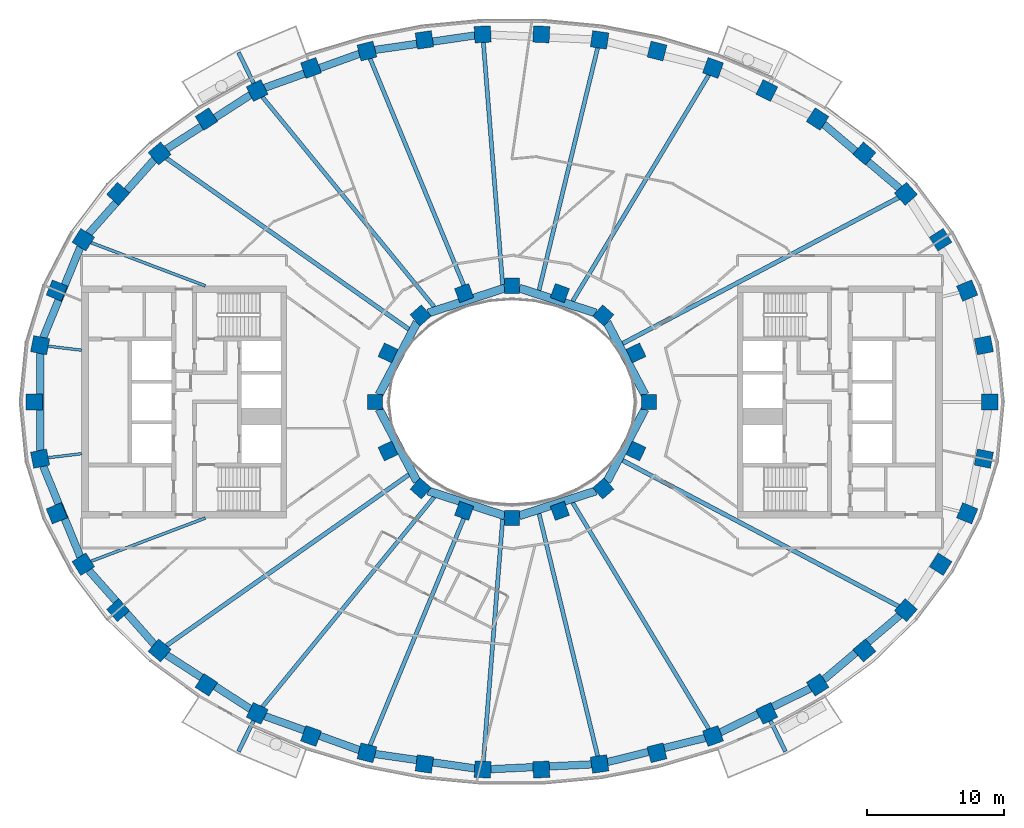
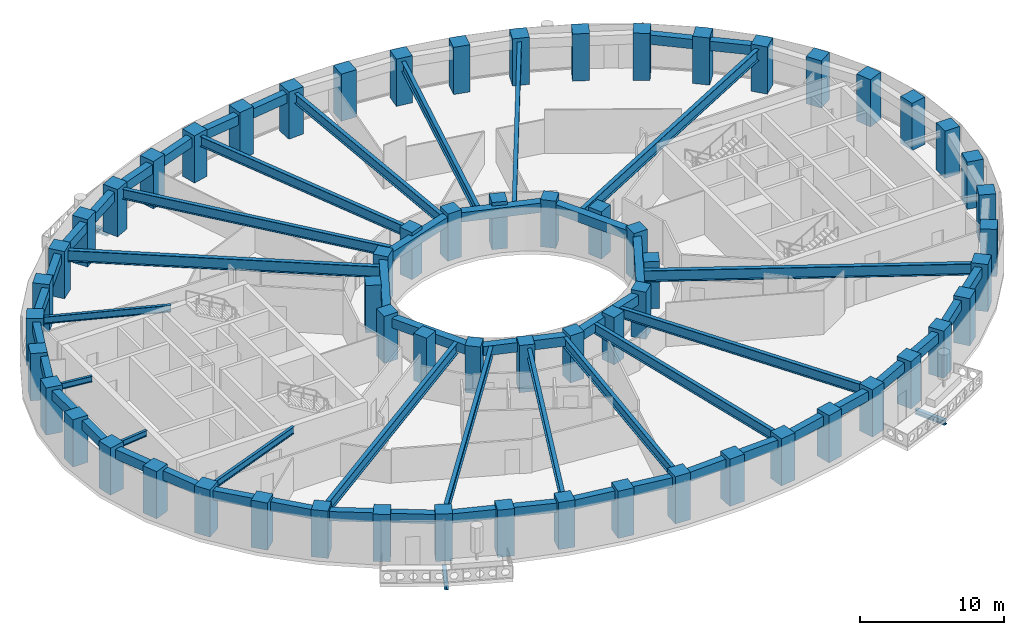
# One storey, part 1 of 15: 62 columns, 45 beams.
"""IFC4 building model written with IfcOpenShell, lengths in metres."""

import ifcopenshell
import ifcopenshell.guid

model = None  # the IFC model being written
_history = None  # IfcOwnerHistory: only IFC2X3 demands one
_inside = {}  # id of a spatial element -> (the spatial element, [elements in it])
_under = {}  # id of a project, library or spatial element -> (it, [spatial elements below it])
_declared = {}  # id of a project -> (the project, [libraries it declares])
_typed = {}  # id of a type object -> (the type object, [elements of that type])
_made_of = {}  # id of a material, layer set ... -> (it, [elements and type objects made of it])


def new_model(schema):
    """Start an empty IFC model of exactly this schema.

    Asked for "IFC4X3", IfcOpenShell would pick the latest addendum, in which some entities
    have other attributes; the version numbers below select the first issue.
    IFC2X3 requires an IfcOwnerHistory on every rooted entity: one is made here for all.
    """
    global model, _history
    if schema == "IFC4X3":
        model = ifcopenshell.file(schema_version=(4, 3, 0, 0))
    else:
        model = ifcopenshell.file(schema=schema)
    _inside.clear()
    _under.clear()
    _declared.clear()
    _typed.clear()
    _made_of.clear()
    _history = None
    if model.schema == "IFC2X3":
        org = make("IfcOrganization", Name="unknown")
        user = make(
            "IfcPersonAndOrganization",
            ThePerson=make("IfcPerson", FamilyName="unknown"),
            TheOrganization=org,
        )
        app = make(
            "IfcApplication",
            ApplicationDeveloper=org,
            Version="unknown",
            ApplicationFullName="unknown",
            ApplicationIdentifier="unknown",
        )
        _history = make(
            "IfcOwnerHistory",
            OwningUser=user,
            OwningApplication=app,
            ChangeAction="ADDED",
            CreationDate=0,
        )
    return model


def make(cls, **values):
    """One entity of the class cls with the attributes given. An attribute that is None is left unset."""
    return model.create_entity(
        cls, **{name: value for name, value in values.items() if value is not None}
    )


def rooted(cls, **values):
    """An entity with a GlobalId (a new one), such as an element, a storey or a relation."""
    return make(cls, GlobalId=ifcopenshell.guid.new(), OwnerHistory=_history, **values)


def si_unit(unit_type, name, prefix=None):
    """IfcSIUnit, for example si_unit("LENGTHUNIT", "METRE", prefix="MILLI")."""
    return make("IfcSIUnit", UnitType=unit_type, Prefix=prefix, Name=name)


def assignment(units):
    """IfcUnitAssignment: the units of a project."""
    return None if units is None else make("IfcUnitAssignment", Units=units)


def point(xyz):
    """IfcCartesianPoint."""
    return None if xyz is None else make("IfcCartesianPoint", Coordinates=xyz)


def direction(xyz):
    """IfcDirection."""
    return None if xyz is None else make("IfcDirection", DirectionRatios=xyz)


def frame(location, z_axis=None, x_axis=None):
    """IfcAxis2Placement3D, a coordinate frame: its origin and axes. An axis left out is left unset."""
    return make(
        "IfcAxis2Placement3D",
        Location=point(location),
        Axis=direction(z_axis),
        RefDirection=direction(x_axis),
    )


def frame_2d(location, x_axis=None):
    """IfcAxis2Placement2D, a coordinate frame in the plane: its origin and x axis."""
    return make(
        "IfcAxis2Placement2D", Location=point(location), RefDirection=direction(x_axis)
    )


def origin():
    """The frame at (0, 0, 0) with its axes left unset."""
    return frame((0.0, 0.0, 0.0))


def origin_2d():
    """The frame at (0, 0) in the plane with its x axis left unset."""
    return frame_2d((0.0, 0.0))


def place(relative_to, where):
    """IfcLocalPlacement: puts the frame where relative to a parent placement (None: the world)."""
    return make(
        "IfcLocalPlacement", PlacementRelTo=relative_to, RelativePlacement=where
    )


def context(
    kind, dimensions, precision=None, world=None, true_north=None, identifier=None
):
    """IfcGeometricRepresentationContext, for example the 3D "Model" context."""
    return make(
        "IfcGeometricRepresentationContext",
        ContextIdentifier=identifier,
        ContextType=kind,
        CoordinateSpaceDimension=dimensions,
        Precision=precision,
        WorldCoordinateSystem=world,
        TrueNorth=true_north,
    )


def subcontext(parent, identifier, kind, view, scale=None):
    """IfcGeometricRepresentationSubContext, for example "Body" below "Model"."""
    return make(
        "IfcGeometricRepresentationSubContext",
        ContextIdentifier=identifier,
        ContextType=kind,
        ParentContext=parent,
        TargetScale=scale,
        TargetView=view,
    )


def project(units=None, contexts=None):
    """IfcProject with its units and contexts."""
    return rooted(
        "IfcProject",
        Name="project",
        RepresentationContexts=contexts,
        UnitsInContext=assignment(units),
    )


def spatial(cls, under=None, at=None, **own):
    """A site, building, storey or space (cls), placed at a placement, below another one or the project."""
    s = rooted(cls, ObjectPlacement=at, **own)
    if under is not None:
        _under.setdefault(under.id(), (under, []))[1].append(s)
    return s


def profile(cls, at=None, kind="AREA", **sizes):
    """A parametric profile (cls). Its sizes go by their IFC names, for example OverallWidth=200.0."""
    return make(cls, ProfileType=kind, Position=at, **sizes)


def rectangle(**sizes):
    """IfcRectangleProfileDef."""
    return profile("IfcRectangleProfileDef", **sizes)


def i_section(**sizes):
    """IfcIShapeProfileDef."""
    return profile("IfcIShapeProfileDef", **sizes)


def extrude(swept, where, along, depth):
    """IfcExtrudedAreaSolid: the profile swept, set in the frame where, extruded along a direction by depth."""
    return make(
        "IfcExtrudedAreaSolid",
        SweptArea=swept,
        Position=where,
        ExtrudedDirection=direction(along),
        Depth=depth,
    )


def shape(context_of_items, identifier, shape_type, items):
    """IfcShapeRepresentation: the items that make up one representation, for example the "Body"."""
    return make(
        "IfcShapeRepresentation",
        ContextOfItems=context_of_items,
        RepresentationIdentifier=identifier,
        RepresentationType=shape_type,
        Items=items,
    )


def material(Name=None, Category=None):
    """IfcMaterial."""
    return make("IfcMaterial", Name=Name, Category=Category)


def material_profile(
    of_material, cross_section, Name=None, Category=None, Priority=None
):
    """IfcMaterialProfile: a cross section and its material."""
    return make(
        "IfcMaterialProfile",
        Name=Name,
        Material=of_material,
        Profile=cross_section,
        Priority=Priority,
        Category=Category,
    )


def profile_set(profiles, Name=None, composite=None):
    """IfcMaterialProfileSet."""
    return make(
        "IfcMaterialProfileSet",
        Name=Name,
        MaterialProfiles=profiles,
        CompositeProfile=composite,
    )


def made_of(thing, what):
    """Note that an element or type object is made of a material, layer set ...; save() writes the relation."""
    if what is not None:
        _made_of.setdefault(what.id(), (what, []))[1].append(thing)
    return thing


def type_object(cls, material=None, **own):
    """A type object (cls), such as IfcWallType, which elements share."""
    return made_of(rooted(cls, **own), material)


def element(
    cls,
    number,
    at=None,
    inside=None,
    cuts=None,
    type_object=None,
    material=None,
    context=None,
    identifier="Body",
    shape_type=None,
    held_by="IfcProductDefinitionShape",
    body=None,
    shapes=None,
    **own,
):
    """One element of the class cls, such as IfcWall. Its Tag is "e" and its number.

    at: its placement. inside: the storey or other place that contains it. cuts: it is an
    opening in that element (IfcRelVoidsElement). A single representation is given by context,
    identifier, shape_type and body (its items); several are given by shapes. held_by: the class
    of the entity that holds the representations. save() writes the other relations.
    """
    e = rooted(cls, Tag="e%d" % number, ObjectPlacement=at, **own)
    if body is not None:
        shapes = [shape(context, identifier, shape_type, body)]
    if shapes is not None:
        e.Representation = make(held_by, Representations=shapes)
    if inside is not None:
        _inside.setdefault(inside.id(), (inside, []))[1].append(e)
    if cuts is not None:
        rooted(
            "IfcRelVoidsElement", RelatingBuildingElement=cuts, RelatedOpeningElement=e
        )
    if type_object is not None:
        _typed.setdefault(type_object.id(), (type_object, []))[1].append(e)
    return made_of(e, material)


def aggregate(whole, parts):
    """IfcRelAggregates: a whole, such as a stair, and the parts it consists of."""
    return rooted("IfcRelAggregates", RelatingObject=whole, RelatedObjects=parts)


def save(model, path):
    """Write the relations noted so far, then the file.

    IfcRelAggregates (storeys below a building ...), IfcRelContainedInSpatialStructure (elements
    in a storey), IfcRelDefinesByType, IfcRelAssociatesMaterial and IfcRelDeclares: one each for
    every whole, place, type object, material and project.
    """
    for whole, parts in _under.values():
        aggregate(whole, parts)
    for where, things in _inside.values():
        rooted(
            "IfcRelContainedInSpatialStructure",
            RelatedElements=things,
            RelatingStructure=where,
        )
    for kind, things in _typed.values():
        rooted("IfcRelDefinesByType", RelatedObjects=things, RelatingType=kind)
    for what, things in _made_of.values():
        rooted("IfcRelAssociatesMaterial", RelatedObjects=things, RelatingMaterial=what)
    for by, libraries in _declared.values():
        rooted("IfcRelDeclares", RelatingContext=by, RelatedDefinitions=libraries)
    model.write(path)


model = new_model("IFC4")

# Units and contexts
model_context = context("Model", 3, precision=1e-05, world=origin(), true_north=direction((0.0, 1.0)))
body_context = subcontext(model_context, "Body", "Model", "MODEL_VIEW")
ifc_project = project(units=[si_unit("LENGTHUNIT", "METRE"), si_unit("AREAUNIT", "SQUARE_METRE"), si_unit("VOLUMEUNIT", "CUBIC_METRE"), si_unit("PLANEANGLEUNIT", "RADIAN"), si_unit("MASSUNIT", "GRAM", prefix="KILO")], contexts=[model_context])

# Site, building, storey
site_placement = place(None, origin())
site = spatial("IfcSite", under=ifc_project, at=site_placement, CompositionType="ELEMENT")
building_placement = place(site_placement, origin())
building = spatial("IfcBuilding", under=site, at=building_placement, Name="Noorbagh Ring Tower", CompositionType="ELEMENT")
storey_placement = place(building_placement, frame((0.0, 0.0, 170.0)))
storey = spatial("IfcBuildingStorey", under=building, at=storey_placement, Name="L39", CompositionType="ELEMENT", Elevation=170.0)

# Columns
ifc_material_1 = material(Name="Concrete C60/75", Category="concrete")
ifc_material_profile_1 = material_profile(ifc_material_1, rectangle(XDim=1.199951171875, YDim=1.199951171875, at=origin_2d()), Name="RC1200x1200")
ifc_profile_set_1 = profile_set([ifc_material_profile_1], Name="Concrete C60/75")
column_type_1 = type_object("IfcColumnType", Name="STR-COL-RC1200x1200-C60-75", PredefinedType="COLUMN", material=ifc_profile_set_1)
for number, where, z_axis, x_axis, name in (
    (1, (34.944580078125, 0.0, 0.0), (0.0, 0.0, 1.0), (0.0, 1.0, 0.0), "L39/col/R1-01"),
    (2, (34.52685546875, 4.150634765625, 0.0), (0.0, 0.0, 1.0), (-0.19723040178, 0.9803571638, 0.0), "L39/col/R1-02"),
    (3, (33.30517578125, 8.1494140625, 0.0), (0.0, 0.0, 1.0), (-0.378989499959, 0.925400971969, 0.0), "L39/col/R1-03"),
    (4, (31.364990234375, 11.87109375, 0.0), (0.0, 0.0, 1.0), (-0.535190403059, 0.844731455833, 0.0), "L39/col/R1-04"),
    (5, (28.81884765625, 15.23046875, 0.0), (0.0, 0.0, 1.0), (-0.662635642662, 0.748941923699, 0.0), "L39/col/R1-05"),
    (6, (25.78271484375, 18.180419921875, 0.0), (0.0, 0.0, 1.0), (-0.763035199656, 0.646356932419, 0.0), "L39/col/R1-06"),
    (7, (22.362060546875, 20.699951171875, 0.0), (0.0, 0.0, 1.0), (-0.840247639643, 0.542202825586, 0.0), "L39/col/R1-07"),
    (8, (18.646240234375, 22.785400390625, 0.0), (0.0, 0.0, 1.0), (-0.898399080868, 0.439180021741, 0.0), "L39/col/R1-08"),
    (9, (14.70947265625, 24.44091796875, 0.0), (0.0, 0.0, 1.0), (-0.941024726094, 0.338337797003, 0.0), "L39/col/R1-09"),
    (10, (10.61328125, 25.673583984375, 0.0), (0.0, 0.0, 1.0), (-0.970829360981, 0.239771457553, 0.0), "L39/col/R1-10"),
    (11, (6.4091796875, 26.49072265625, 0.0), (0.0, 0.0, 1.0), (-0.989713114048, 0.143066249975, 0.0), "L39/col/R1-11"),
    (12, (2.14306640625, 26.89794921875, 0.0), (0.0, 0.0, 1.0), (-0.998868731212, 0.047552684538, 0.0), "L39/col/R1-12"),
    (13, (-2.14306640625, 26.89794921875, 0.0), (0.0, 0.0, 1.0), (-0.998868731212, -0.047552684538, 0.0), "L39/col/R1-13"),
    (14, (-6.4091796875, 26.49072265625, 0.0), (0.0, 0.0, 1.0), (-0.989713114048, -0.143066249975, 0.0), "L39/col/R1-14"),
    (15, (-10.61328125, 25.673583984375, 0.0), (0.0, 0.0, 1.0), (-0.970829360981, -0.239771457553, 0.0), "L39/col/R1-15"),
    (16, (-14.70947265625, 24.44091796875, 0.0), (0.0, 0.0, 1.0), (-0.941024726094, -0.338337797003, 0.0), "L39/col/R1-16"),
    (17, (-18.646240234375, 22.785400390625, 0.0), (0.0, 0.0, 1.0), (-0.898399080868, -0.439180021741, 0.0), "L39/col/R1-17"),
    (18, (-22.362060546875, 20.699951171875, 0.0), (0.0, 0.0, 1.0), (-0.840247639643, -0.542202825586, 0.0), "L39/col/R1-18"),
    (19, (-25.78271484375, 18.180419921875, 0.0), (0.0, 0.0, 1.0), (-0.763035199656, -0.646356932419, 0.0), "L39/col/R1-19"),
    (20, (-28.81884765625, 15.23046875, 0.0), (0.0, 0.0, 1.0), (-0.662635642662, -0.748941923699, 0.0), "L39/col/R1-20"),
    (21, (-31.364990234375, 11.87109375, 0.0), (0.0, 0.0, 1.0), (-0.535190403059, -0.844731455833, 0.0), "L39/col/R1-21"),
    (22, (-33.30517578125, 8.1494140625, 0.0), (0.0, 0.0, 1.0), (-0.378989499959, -0.925400971969, 0.0), "L39/col/R1-22"),
    (23, (-34.52685546875, 4.150634765625, 0.0), (0.0, 0.0, 1.0), (-0.19723040178, -0.9803571638, 0.0), "L39/col/R1-23"),
    (24, (-34.944580078125, 0.0, 0.0), (0.0, 0.0, 1.0), (0.0, -1.0, 0.0), "L39/col/R1-24"),
    (25, (-34.52685546875, -4.150634765625, 0.0), (0.0, 0.0, 1.0), (0.19723040178, -0.9803571638, 0.0), "L39/col/R1-25"),
    (26, (-33.30517578125, -8.1494140625, 0.0), (0.0, 0.0, 1.0), (0.378989499959, -0.925400971969, 0.0), "L39/col/R1-26"),
    (27, (-31.364990234375, -11.87109375, 0.0), (0.0, 0.0, 1.0), (0.535190403059, -0.844731455833, 0.0), "L39/col/R1-27"),
    (28, (-28.81884765625, -15.23046875, 0.0), (0.0, 0.0, 1.0), (0.662635642662, -0.748941923699, 0.0), "L39/col/R1-28"),
    (29, (-25.78271484375, -18.180419921875, 0.0), (0.0, 0.0, 1.0), (0.763035199656, -0.646356932419, 0.0), "L39/col/R1-29"),
    (30, (-22.362060546875, -20.699951171875, 0.0), (0.0, 0.0, 1.0), (0.840247639643, -0.542202825586, 0.0), "L39/col/R1-30"),
    (31, (-18.646240234375, -22.785400390625, 0.0), (0.0, 0.0, 1.0), (0.898399080868, -0.439180021741, 0.0), "L39/col/R1-31"),
    (32, (-14.70947265625, -24.44091796875, 0.0), (0.0, 0.0, 1.0), (0.941024726094, -0.338337797003, 0.0), "L39/col/R1-32"),
    (33, (-10.61328125, -25.673583984375, 0.0), (0.0, 0.0, 1.0), (0.970829360981, -0.239771457553, 0.0), "L39/col/R1-33"),
    (34, (-6.4091796875, -26.49072265625, 0.0), (0.0, 0.0, 1.0), (0.989713114048, -0.143066249975, 0.0), "L39/col/R1-34"),
    (35, (-2.14306640625, -26.89794921875, 0.0), (0.0, 0.0, 1.0), (0.998868731212, -0.047552684538, 0.0), "L39/col/R1-35"),
    (36, (2.14306640625, -26.89794921875, 0.0), (0.0, 0.0, 1.0), (0.998868731212, 0.047552684538, 0.0), "L39/col/R1-36"),
    (37, (6.4091796875, -26.49072265625, 0.0), (0.0, 0.0, 1.0), (0.989713114048, 0.143066249975, 0.0), "L39/col/R1-37"),
    (38, (10.61328125, -25.673583984375, 0.0), (0.0, 0.0, 1.0), (0.970829360981, 0.239771457553, 0.0), "L39/col/R1-38"),
    (39, (14.70947265625, -24.44091796875, 0.0), (0.0, 0.0, 1.0), (0.941024726094, 0.338337797003, 0.0), "L39/col/R1-39"),
    (40, (18.646240234375, -22.785400390625, 0.0), (0.0, 0.0, 1.0), (0.898399080868, 0.439180021741, 0.0), "L39/col/R1-40"),
    (41, (22.362060546875, -20.699951171875, 0.0), (0.0, 0.0, 1.0), (0.840247639643, 0.542202825586, 0.0), "L39/col/R1-41"),
    (42, (25.78271484375, -18.180419921875, 0.0), (0.0, 0.0, 1.0), (0.763035199656, 0.646356932419, 0.0), "L39/col/R1-42"),
    (43, (28.81884765625, -15.23046875, 0.0), (0.0, 0.0, 1.0), (0.662635642662, 0.748941923699, 0.0), "L39/col/R1-43"),
    (44, (31.364990234375, -11.87109375, 0.0), (0.0, 0.0, 1.0), (0.535190403059, 0.844731455833, 0.0), "L39/col/R1-44"),
    (45, (33.30517578125, -8.1494140625, 0.0), (0.0, 0.0, 1.0), (0.378989499959, 0.925400971969, 0.0), "L39/col/R1-45"),
    (46, (34.52685546875, -4.150634765625, 0.0), (0.0, 0.0, 1.0), (0.19723040178, 0.9803571638, 0.0), "L39/col/R1-46"),
):
    element("IfcColumn", number, at=place(storey_placement, frame(where, z_axis=z_axis, x_axis=x_axis)), inside=storey, type_object=column_type_1, Name=name, PredefinedType="COLUMN", context=body_context, shape_type="SweptSolid", body=[
        extrude(rectangle(XDim=1.199951171875, YDim=1.199951171875, at=origin_2d()), origin(), (0.0, 0.0, 1.0), 4.0),
    ])
ifc_material_2 = material(Name="Concrete C60/75", Category="concrete")
ifc_material_profile_2 = material_profile(ifc_material_2, rectangle(XDim=1.10009765625, YDim=1.10009765625, at=origin_2d()), Name="RC1100x1100")
ifc_profile_set_2 = profile_set([ifc_material_profile_2], Name="Concrete C60/75")
column_type_2 = type_object("IfcColumnType", Name="STR-ICOL-RC1100x1100-C60-75", PredefinedType="COLUMN", material=ifc_profile_set_2)
for number, where, z_axis, x_axis, name in (
    (47, (10.00830078125, 0.0, 0.0), (0.0, 0.0, 1.0), (0.0, 1.0, 0.0), "L39/col/IR2-W01"),
    (48, (9.07568359375, 3.58837890625, 0.0), (0.0, 0.0, 1.0), (-0.428666979171, 0.903462573087, 0.0), "L39/col/IR2-W03"),
    (49, (6.68212890625, 6.333740234375, 0.0), (0.0, 0.0, 1.0), (-0.75102249095, 0.660276622399, 0.0), "L39/col/IR2-W05"),
    (50, (3.5009765625, 7.967041015625, 0.0), (0.0, 0.0, 1.0), (-0.939019578916, 0.343863679984, 0.0), "L39/col/IR2-W07"),
    (51, (0.0, 8.5029296875, 0.0), (0.0, 0.0, 1.0), (-1.0, 0.0, 0.0), "L39/col/IR2-W09"),
    (52, (-3.5009765625, 7.967041015625, 0.0), (0.0, 0.0, 1.0), (-0.939019578916, -0.343863679984, 0.0), "L39/col/IR2-W11"),
    (53, (-6.68212890625, 6.333740234375, 0.0), (0.0, 0.0, 1.0), (-0.75102249095, -0.660276622399, 0.0), "L39/col/IR2-W13"),
    (54, (-9.07568359375, 3.58837890625, 0.0), (0.0, 0.0, 1.0), (-0.428666979171, -0.903462573087, 0.0), "L39/col/IR2-W15"),
    (55, (-10.00830078125, 0.0, 0.0), (0.0, 0.0, 1.0), (0.0, -1.0, 0.0), "L39/col/IR2-W17"),
    (56, (-9.07568359375, -3.58837890625, 0.0), (0.0, 0.0, 1.0), (0.428666979171, -0.903462573087, 0.0), "L39/col/IR2-W19"),
    (57, (-6.68212890625, -6.333740234375, 0.0), (0.0, 0.0, 1.0), (0.75102249095, -0.660276622399, 0.0), "L39/col/IR2-W21"),
    (58, (-3.5009765625, -7.967041015625, 0.0), (0.0, 0.0, 1.0), (0.939019578916, -0.343863679984, 0.0), "L39/col/IR2-W23"),
    (59, (0.0, -8.5029296875, 0.0), (0.0, 0.0, 1.0), (1.0, 0.0, 0.0), "L39/col/IR2-W25"),
    (60, (3.5009765625, -7.967041015625, 0.0), (0.0, 0.0, 1.0), (0.939019578916, 0.343863679984, 0.0), "L39/col/IR2-W27"),
    (61, (6.68212890625, -6.333740234375, 0.0), (0.0, 0.0, 1.0), (0.75102249095, 0.660276622399, 0.0), "L39/col/IR2-W29"),
    (62, (9.07568359375, -3.58837890625, 0.0), (0.0, 0.0, 1.0), (0.428666979171, 0.903462573087, 0.0), "L39/col/IR2-W31"),
):
    element("IfcColumn", number, at=place(storey_placement, frame(where, z_axis=z_axis, x_axis=x_axis)), inside=storey, type_object=column_type_2, Name=name, PredefinedType="COLUMN", context=body_context, shape_type="SweptSolid", body=[
        extrude(rectangle(XDim=1.10009765625, YDim=1.10009765625, at=origin_2d()), origin(), (0.0, 0.0, 1.0), 4.0),
    ])

# Beams
ifc_material_3 = material(Name="Steel S355", Category="steel")
ifc_material_profile_3 = material_profile(ifc_material_3, i_section(OverallWidth=0.300048828125, OverallDepth=0.39990234375, WebThickness=0.013427734375, FlangeThickness=0.02392578125, FilletRadius=0.027099609375, at=origin_2d()), Name="HEB400")
ifc_profile_set_3 = profile_set([ifc_material_profile_3], Name="Steel S355")
beam_type_1 = type_object("IfcBeamType", Name="STR-BALCONY-BRACKET-HEB400", PredefinedType="BEAM", material=ifc_profile_set_3)
for number, where, z_axis, x_axis, name in (
    (63, (-18.901123046875, 23.306396484375, -0.5), (-0.439229206399, 0.898375035409, 0.0), (-0.898375035409, -0.439229206399, 0.0), "Balcony bracket beam BN05"),
    (64, (-18.901123046875, -23.306396484375, -0.5), (-0.439229206399, -0.898375035409, 0.0), (0.898375035409, -0.439229206399, 0.0), "Balcony bracket beam BS02"),
    (65, (18.901123046875, -23.306396484375, -0.5), (0.439229206399, -0.898375035409, 0.0), (0.898375035409, 0.439229206399, 0.0), "Balcony bracket beam BS05"),
):
    element("IfcBeam", number, at=place(storey_placement, frame(where, z_axis=z_axis, x_axis=x_axis)), inside=storey, type_object=beam_type_1, Name=name, PredefinedType="BEAM", context=body_context, shape_type="SweptSolid", body=[
        extrude(i_section(OverallWidth=0.300048828125, OverallDepth=0.39990234375, WebThickness=0.013427734375, FlangeThickness=0.02392578125, FilletRadius=0.027099609375, at=origin_2d()), origin(), (0.0, 0.0, 1.0), 2.525146484375),
    ])
ifc_material_4 = material(Name="Steel S355", Category="steel")
ifc_material_profile_4 = material_profile(ifc_material_4, i_section(OverallWidth=0.199951171875, OverallDepth=0.5, WebThickness=0.01025390625, FlangeThickness=0.01611328125, FilletRadius=0.02099609375, at=origin_2d()), Name="IPE500")
ifc_profile_set_4 = profile_set([ifc_material_profile_4], Name="Steel S355")
beam_type_2 = type_object("IfcBeamType", Name="STR-RAD-IPE500", PredefinedType="BEAM", material=ifc_profile_set_4)
for number, where, z_axis, x_axis, name in (
    (66, (-33.948974609375, 4.081298828125, 3.449951171875), (0.992847073299, -0.119393002485, 0.0), (0.119393002485, 0.992847073299, 0.0), "L39/bm/RD23"),
    (67, (-33.948974609375, -4.081298828125, 3.449951171875), (0.992847073299, 0.119393002485, 0.0), (-0.119393002485, 0.992847073299, 0.0), "L39/bm/RD25"),
):
    element("IfcBeam", number, at=place(storey_placement, frame(where, z_axis=z_axis, x_axis=x_axis)), inside=storey, type_object=beam_type_2, Name=name, PredefinedType="BEAM", context=body_context, shape_type="SweptSolid", body=[
        extrude(i_section(OverallWidth=0.199951171875, OverallDepth=0.5, WebThickness=0.01025390625, FlangeThickness=0.01611328125, FilletRadius=0.02099609375, at=origin_2d()), origin(), (0.0, 0.0, 1.0), 2.486572265625),
    ])
ifc_material_5 = material(Name="Steel S355", Category="steel")
ifc_material_profile_5 = material_profile(ifc_material_5, i_section(OverallWidth=0.219970703125, OverallDepth=0.60009765625, WebThickness=0.011962890625, FlangeThickness=0.01904296875, FilletRadius=0.02392578125, at=origin_2d()), Name="IPE600")
ifc_profile_set_5 = profile_set([ifc_material_profile_5], Name="Steel S355")
beam_type_3 = type_object("IfcBeamType", Name="STR-RAD-IPE600", PredefinedType="BEAM", material=ifc_profile_set_5)
for number, where, z_axis, x_axis, name in (
    (68, (-30.810791015625, 11.6611328125, 3.39990234375), (0.935257705558, -0.35396754681, 0.0), (0.35396754681, 0.935257705558, 0.0), "L39/bm/RD21"),
    (69, (-30.810791015625, -11.6611328125, 3.39990234375), (0.935257705558, 0.35396754681, 0.0), (-0.35396754681, 0.935257705558, 0.0), "L39/bm/RD27"),
):
    element("IfcBeam", number, at=place(storey_placement, frame(where, z_axis=z_axis, x_axis=x_axis)), inside=storey, type_object=beam_type_3, Name=name, PredefinedType="BEAM", context=body_context, shape_type="SweptSolid", body=[
        extrude(i_section(OverallWidth=0.219970703125, OverallDepth=0.60009765625, WebThickness=0.011962890625, FlangeThickness=0.01904296875, FilletRadius=0.02392578125, at=origin_2d()), origin(), (0.0, 0.0, 1.0), 8.95068359375),
    ])
ifc_material_6 = material(Name="Steel S355", Category="steel")
ifc_material_profile_6 = material_profile(ifc_material_6, i_section(OverallWidth=0.300048828125, OverallDepth=0.85009765625, WebThickness=0.013916015625, FlangeThickness=0.028076171875, at=origin_2d()), Name="PG850x300x14x28")
ifc_profile_set_6 = profile_set([ifc_material_profile_6], Name="Steel S355")
beam_type_4 = type_object("IfcBeamType", Name="STR-RAD-PG850x300x14x28", PredefinedType="BEAM", material=ifc_profile_set_6)
beam_1_placement = place(storey_placement, frame((14.404296875, 23.933837890625, 3.27490234375), z_axis=(-0.515653442321, -0.856797249892, 0.0), x_axis=(0.856797249892, -0.515653442321, 0.0)))
element("IfcBeam", 70, at=beam_1_placement, inside=storey, type_object=beam_type_4, Name="L39/bm/RD09", PredefinedType="BEAM", context=body_context, shape_type="SweptSolid", body=[
    extrude(i_section(OverallWidth=0.300048828125, OverallDepth=0.85009765625, WebThickness=0.013916015625, FlangeThickness=0.028076171875, at=origin_2d()), origin(), (0.0, 0.0, 1.0), 19.343994140625),
])
beam_2_placement = place(storey_placement, frame((6.272216796875, 25.924560546875, 3.27490234375), z_axis=(-0.235159659646, -0.971956755455, 0.0), x_axis=(0.971956755455, -0.235159659646, 0.0)))
element("IfcBeam", 71, at=beam_2_placement, inside=storey, type_object=beam_type_4, Name="L39/bm/RD11", PredefinedType="BEAM", context=body_context, shape_type="SweptSolid", body=[
    extrude(i_section(OverallWidth=0.300048828125, OverallDepth=0.85009765625, WebThickness=0.013916015625, FlangeThickness=0.028076171875, at=origin_2d()), origin(), (0.0, 0.0, 1.0), 18.280517578125),
])
beam_3_placement = place(storey_placement, frame((-2.09716796875, 26.319580078125, 3.27490234375), z_axis=(0.079428488964, -0.996840566561, 0.0), x_axis=(0.996840566561, 0.079428488964, 0.0)))
element("IfcBeam", 72, at=beam_3_placement, inside=storey, type_object=beam_type_4, Name="L39/bm/RD13", PredefinedType="BEAM", context=body_context, shape_type="SweptSolid", body=[
    extrude(i_section(OverallWidth=0.300048828125, OverallDepth=0.85009765625, WebThickness=0.013916015625, FlangeThickness=0.028076171875, at=origin_2d()), origin(), (0.0, 0.0, 1.0), 17.7998046875),
])
beam_4_placement = place(storey_placement, frame((-10.388916015625, 25.13134765625, 3.27490234375), z_axis=(0.382025650428, -0.924151720452, 0.0), x_axis=(0.924151720452, 0.382025650428, 0.0)))
element("IfcBeam", 73, at=beam_4_placement, inside=storey, type_object=beam_type_4, Name="L39/bm/RD15", PredefinedType="BEAM", context=body_context, shape_type="SweptSolid", body=[
    extrude(i_section(OverallWidth=0.300048828125, OverallDepth=0.85009765625, WebThickness=0.013916015625, FlangeThickness=0.028076171875, at=origin_2d()), origin(), (0.0, 0.0, 1.0), 18.80078125),
])
for number, where, z_axis, x_axis, name in (
    (74, (-18.2685546875, 22.32373046875, 3.27490234375), (0.633310075039, -0.773898151474, 0.0), (0.773898151474, 0.633310075039, 0.0), "L39/bm/RD17"),
    (75, (-18.2685546875, -22.32373046875, 3.27490234375), (0.633310075039, 0.773898151474, 0.0), (-0.773898151474, 0.633310075039, 0.0), "L39/bm/RD31"),
):
    element("IfcBeam", number, at=place(storey_placement, frame(where, z_axis=z_axis, x_axis=x_axis)), inside=storey, type_object=beam_type_4, Name=name, PredefinedType="BEAM", context=body_context, shape_type="SweptSolid", body=[
        extrude(i_section(OverallWidth=0.300048828125, OverallDepth=0.85009765625, WebThickness=0.013916015625, FlangeThickness=0.028076171875, at=origin_2d()), origin(), (0.0, 0.0, 1.0), 19.86279296875),
    ])
beam_5_placement = place(storey_placement, frame((-10.388916015625, -25.13134765625, 3.27490234375), z_axis=(0.382025650428, 0.924151720452, 0.0), x_axis=(-0.924151720452, 0.382025650428, 0.0)))
element("IfcBeam", 76, at=beam_5_placement, inside=storey, type_object=beam_type_4, Name="L39/bm/RD33", PredefinedType="BEAM", context=body_context, shape_type="SweptSolid", body=[
    extrude(i_section(OverallWidth=0.300048828125, OverallDepth=0.85009765625, WebThickness=0.013916015625, FlangeThickness=0.028076171875, at=origin_2d()), origin(), (0.0, 0.0, 1.0), 18.80078125),
])
beam_6_placement = place(storey_placement, frame((-2.09716796875, -26.319580078125, 3.27490234375), z_axis=(0.079428488964, 0.996840566561, 0.0), x_axis=(-0.996840566561, 0.079428488964, 0.0)))
element("IfcBeam", 77, at=beam_6_placement, inside=storey, type_object=beam_type_4, Name="L39/bm/RD35", PredefinedType="BEAM", context=body_context, shape_type="SweptSolid", body=[
    extrude(i_section(OverallWidth=0.300048828125, OverallDepth=0.85009765625, WebThickness=0.013916015625, FlangeThickness=0.028076171875, at=origin_2d()), origin(), (0.0, 0.0, 1.0), 17.7998046875),
])
beam_7_placement = place(storey_placement, frame((6.272216796875, -25.924560546875, 3.27490234375), z_axis=(-0.235159659646, 0.971956755455, 0.0), x_axis=(-0.971956755455, -0.235159659646, 0.0)))
element("IfcBeam", 78, at=beam_7_placement, inside=storey, type_object=beam_type_4, Name="L39/bm/RD37", PredefinedType="BEAM", context=body_context, shape_type="SweptSolid", body=[
    extrude(i_section(OverallWidth=0.300048828125, OverallDepth=0.85009765625, WebThickness=0.013916015625, FlangeThickness=0.028076171875, at=origin_2d()), origin(), (0.0, 0.0, 1.0), 18.280517578125),
])
beam_8_placement = place(storey_placement, frame((14.404296875, -23.933837890625, 3.27490234375), z_axis=(-0.515653442321, 0.856797249892, 0.0), x_axis=(-0.856797249892, -0.515653442321, 0.0)))
element("IfcBeam", 79, at=beam_8_placement, inside=storey, type_object=beam_type_4, Name="L39/bm/RD39", PredefinedType="BEAM", context=body_context, shape_type="SweptSolid", body=[
    extrude(i_section(OverallWidth=0.300048828125, OverallDepth=0.85009765625, WebThickness=0.013916015625, FlangeThickness=0.028076171875, at=origin_2d()), origin(), (0.0, 0.0, 1.0), 19.343994140625),
])
ifc_material_7 = material(Name="Steel S355", Category="steel")
ifc_material_profile_7 = material_profile(ifc_material_7, i_section(OverallWidth=0.320068359375, OverallDepth=0.949951171875, WebThickness=0.01611328125, FlangeThickness=0.030029296875, at=origin_2d()), Name="PG950x320x16x30")
ifc_profile_set_7 = profile_set([ifc_material_profile_7], Name="Steel S355")
beam_type_5 = type_object("IfcBeamType", Name="STR-RAD-PG950x320x16x30", PredefinedType="BEAM", material=ifc_profile_set_7)
beam_9_placement = place(storey_placement, frame((28.29052734375, 14.951416015625, 3.22509765625), z_axis=(-0.88411920944, -0.467261408099, 0.0), x_axis=(0.467261408099, -0.88411920944, 0.0)))
element("IfcBeam", 80, at=beam_9_placement, inside=storey, type_object=beam_type_5, Name="L39/bm/RD05", PredefinedType="BEAM", context=body_context, shape_type="SweptSolid", body=[
    extrude(i_section(OverallWidth=0.320068359375, OverallDepth=0.949951171875, WebThickness=0.01611328125, FlangeThickness=0.030029296875, at=origin_2d()), origin(), (0.0, 0.0, 1.0), 22.857421875),
])
for number, where, z_axis, x_axis, name in (
    (81, (-25.29248046875, 17.834716796875, 3.22509765625), (0.817253927646, -0.576277726229, 0.0), (0.576277726229, 0.817253927646, 0.0), "L39/bm/RD19"),
    (82, (-25.29248046875, -17.834716796875, 3.22509765625), (0.817253927646, 0.576277726229, 0.0), (-0.576277726229, 0.817253927646, 0.0), "L39/bm/RD29"),
):
    element("IfcBeam", number, at=place(storey_placement, frame(where, z_axis=z_axis, x_axis=x_axis)), inside=storey, type_object=beam_type_5, Name=name, PredefinedType="BEAM", context=body_context, shape_type="SweptSolid", body=[
        extrude(i_section(OverallWidth=0.320068359375, OverallDepth=0.949951171875, WebThickness=0.01611328125, FlangeThickness=0.030029296875, at=origin_2d()), origin(), (0.0, 0.0, 1.0), 21.728515625),
    ])
beam_10_placement = place(storey_placement, frame((28.29052734375, -14.951416015625, 3.22509765625), z_axis=(-0.88411920944, 0.467261408099, 0.0), x_axis=(-0.467261408099, -0.88411920944, 0.0)))
element("IfcBeam", 83, at=beam_10_placement, inside=storey, type_object=beam_type_5, Name="L39/bm/RD43", PredefinedType="BEAM", context=body_context, shape_type="SweptSolid", body=[
    extrude(i_section(OverallWidth=0.320068359375, OverallDepth=0.949951171875, WebThickness=0.01611328125, FlangeThickness=0.030029296875, at=origin_2d()), origin(), (0.0, 0.0, 1.0), 22.857421875),
])
ifc_material_8 = material(Name="Concrete C40/50", Category="concrete")
ifc_material_profile_8 = material_profile(ifc_material_8, rectangle(XDim=0.60009765625, YDim=0.800048828125, at=origin_2d()), Name="RC600x800")
ifc_profile_set_8 = profile_set([ifc_material_profile_8], Name="Concrete C40/50")
beam_type_6 = type_object("IfcBeamType", Name="STR-RB-RC600x800-C40-50", PredefinedType="BEAM", material=ifc_profile_set_8)
beam_11_placement = place(storey_placement, frame((9.728759765625, 0.5322265625, 3.300048828125), z_axis=(-0.464913857529, 0.885355919999, 0.0), x_axis=(-0.885355919999, -0.464913857529, 0.0)))
element("IfcBeam", 84, at=beam_11_placement, inside=storey, type_object=beam_type_6, Name="L39/bm/RG01", PredefinedType="BEAM", context=body_context, shape_type="SweptSolid", body=[
    extrude(rectangle(XDim=0.60009765625, YDim=0.800048828125, at=origin_2d()), origin(), (0.0, 0.0, 1.0), 5.98388671875),
])
for number, where, z_axis, x_axis, name in (
    (85, (6.13134765625, 6.512451171875, 3.300048828125), (-0.95113365854, 0.308779474046, 0.0), (-0.308779474046, -0.95113365854, 0.0), "L39/bm/RG03"),
    (86, (-0.531005859375, 8.33056640625, 3.300048828125), (-0.95113365854, -0.308779474046, 0.0), (0.308779474046, -0.95113365854, 0.0), "L39/bm/RG05"),
):
    element("IfcBeam", number, at=place(storey_placement, frame(where, z_axis=z_axis, x_axis=x_axis)), inside=storey, type_object=beam_type_6, Name=name, PredefinedType="BEAM", context=body_context, shape_type="SweptSolid", body=[
        extrude(rectangle(XDim=0.60009765625, YDim=0.800048828125, at=origin_2d()), origin(), (0.0, 0.0, 1.0), 5.88818359375),
    ])
for number, where, z_axis, x_axis, name in (
    (87, (-6.94677734375, 5.830078125, 3.300048828125), (-0.464913857529, -0.885355919999, 0.0), (0.885355919999, -0.464913857529, 0.0), "L39/bm/RG07"),
    (88, (-9.728759765625, -0.5322265625, 3.300048828125), (0.464913857529, -0.885355919999, 0.0), (0.885355919999, 0.464913857529, 0.0), "L39/bm/RG09"),
):
    element("IfcBeam", number, at=place(storey_placement, frame(where, z_axis=z_axis, x_axis=x_axis)), inside=storey, type_object=beam_type_6, Name=name, PredefinedType="BEAM", context=body_context, shape_type="SweptSolid", body=[
        extrude(rectangle(XDim=0.60009765625, YDim=0.800048828125, at=origin_2d()), origin(), (0.0, 0.0, 1.0), 5.98388671875),
    ])
for number, where, z_axis, x_axis, name in (
    (89, (-6.13134765625, -6.512451171875, 3.300048828125), (0.95113365854, -0.308779474046, 0.0), (0.308779474046, 0.95113365854, 0.0), "L39/bm/RG11"),
    (90, (0.531005859375, -8.33056640625, 3.300048828125), (0.95113365854, 0.308779474046, 0.0), (-0.308779474046, 0.95113365854, 0.0), "L39/bm/RG13"),
):
    element("IfcBeam", number, at=place(storey_placement, frame(where, z_axis=z_axis, x_axis=x_axis)), inside=storey, type_object=beam_type_6, Name=name, PredefinedType="BEAM", context=body_context, shape_type="SweptSolid", body=[
        extrude(rectangle(XDim=0.60009765625, YDim=0.800048828125, at=origin_2d()), origin(), (0.0, 0.0, 1.0), 5.88818359375),
    ])
beam_12_placement = place(storey_placement, frame((6.94677734375, -5.830078125, 3.300048828125), z_axis=(0.464913857529, 0.885355919999, 0.0), x_axis=(-0.885355919999, 0.464913857529, 0.0)))
element("IfcBeam", 91, at=beam_12_placement, inside=storey, type_object=beam_type_6, Name="L39/bm/RG15", PredefinedType="BEAM", context=body_context, shape_type="SweptSolid", body=[
    extrude(rectangle(XDim=0.60009765625, YDim=0.800048828125, at=origin_2d()), origin(), (0.0, 0.0, 1.0), 5.98388671875),
])
ifc_material_9 = material(Name="Concrete C40/50", Category="concrete")
ifc_material_profile_9 = material_profile(ifc_material_9, rectangle(XDim=0.550048828125, YDim=0.800048828125, at=origin_2d()), Name="RC550x800")
ifc_profile_set_9 = profile_set([ifc_material_profile_9], Name="Concrete C40/50")
beam_type_7 = type_object("IfcBeamType", Name="STR-SB-RC550x800-C40-50", PredefinedType="BEAM", material=ifc_profile_set_9)
beam_13_placement = place(storey_placement, frame((28.37158203125, 15.609375, 3.300048828125), z_axis=(-0.76303051661, 0.646362460792, 0.0), x_axis=(-0.646362460792, -0.76303051661, 0.0)))
element("IfcBeam", 92, at=beam_13_placement, inside=storey, type_object=beam_type_7, Name="L39/bm/SP05", PredefinedType="BEAM", context=body_context, shape_type="SweptSolid", body=[
    extrude(rectangle(XDim=0.550048828125, YDim=0.800048828125, at=origin_2d()), origin(), (0.0, 0.0, 1.0), 7.290771484375),
])
beam_14_placement = place(storey_placement, frame((-2.719970703125, 26.814697265625, 3.300048828125), z_axis=(-0.989712982551, -0.143067159651, 0.0), x_axis=(0.143067159651, -0.989712982551, 0.0)))
element("IfcBeam", 93, at=beam_14_placement, inside=storey, type_object=beam_type_7, Name="L39/bm/SP13", PredefinedType="BEAM", context=body_context, shape_type="SweptSolid", body=[
    extrude(rectangle(XDim=0.550048828125, YDim=0.800048828125, at=origin_2d()), origin(), (0.0, 0.0, 1.0), 7.392333984375),
])
beam_15_placement = place(storey_placement, frame((-11.162109375, 25.476318359375, 3.300048828125), z_axis=(-0.941026272099, -0.338333497041, 0.0), x_axis=(0.338333497041, -0.941026272099, 0.0)))
element("IfcBeam", 94, at=beam_15_placement, inside=storey, type_object=beam_type_7, Name="L39/bm/SP15", PredefinedType="BEAM", context=body_context, shape_type="SweptSolid", body=[
    extrude(rectangle(XDim=0.550048828125, YDim=0.800048828125, at=origin_2d()), origin(), (0.0, 0.0, 1.0), 7.36962890625),
])
beam_16_placement = place(storey_placement, frame((-19.13720703125, 22.468505859375, 3.300048828125), z_axis=(-0.840250107942, -0.542199000463, 0.0), x_axis=(0.542199000463, -0.840250107942, 0.0)))
element("IfcBeam", 95, at=beam_16_placement, inside=storey, type_object=beam_type_7, Name="L39/bm/SP17", PredefinedType="BEAM", context=body_context, shape_type="SweptSolid", body=[
    extrude(rectangle(XDim=0.550048828125, YDim=0.800048828125, at=origin_2d()), origin(), (0.0, 0.0, 1.0), 7.32373046875),
])
beam_17_placement = place(storey_placement, frame((-26.171142578125, 17.7412109375, 3.300048828125), z_axis=(-0.662637815304, -0.748940001422, 0.0), x_axis=(0.748940001422, -0.662637815304, 0.0)))
element("IfcBeam", 96, at=beam_17_placement, inside=storey, type_object=beam_type_7, Name="L39/bm/SP19", PredefinedType="BEAM", context=body_context, shape_type="SweptSolid", body=[
    extrude(rectangle(XDim=0.550048828125, YDim=0.800048828125, at=origin_2d()), origin(), (0.0, 0.0, 1.0), 7.25048828125),
])
beam_18_placement = place(storey_placement, frame((-31.58837890625, 11.325439453125, 3.300048828125), z_axis=(-0.378983224539, -0.925403541985, 0.0), x_axis=(0.925403541985, -0.378983224539, 0.0)))
element("IfcBeam", 97, at=beam_18_placement, inside=storey, type_object=beam_type_7, Name="L39/bm/SP21", PredefinedType="BEAM", context=body_context, shape_type="SweptSolid", body=[
    extrude(rectangle(XDim=0.550048828125, YDim=0.800048828125, at=origin_2d()), origin(), (0.0, 0.0, 1.0), 7.162109375),
])
beam_19_placement = place(storey_placement, frame((-34.52685546875, 3.55859375, 3.300048828125), z_axis=(0.0, -1.0, 0.0), x_axis=(1.0, 0.0, 0.0)))
element("IfcBeam", 98, at=beam_19_placement, inside=storey, type_object=beam_type_7, Name="L39/bm/SP23", PredefinedType="BEAM", context=body_context, shape_type="SweptSolid", body=[
    extrude(rectangle(XDim=0.550048828125, YDim=0.800048828125, at=origin_2d()), origin(), (0.0, 0.0, 1.0), 7.1171875),
])
beam_20_placement = place(storey_placement, frame((-34.302734375, -4.697509765625, 3.300048828125), z_axis=(0.378983224539, -0.925403541985, 0.0), x_axis=(0.925403541985, 0.378983224539, 0.0)))
element("IfcBeam", 99, at=beam_20_placement, inside=storey, type_object=beam_type_7, Name="L39/bm/SP25", PredefinedType="BEAM", context=body_context, shape_type="SweptSolid", body=[
    extrude(rectangle(XDim=0.550048828125, YDim=0.800048828125, at=origin_2d()), origin(), (0.0, 0.0, 1.0), 7.162109375),
])
beam_21_placement = place(storey_placement, frame((-30.9755859375, -12.31103515625, 3.300048828125), z_axis=(0.662637815304, -0.748940001422, 0.0), x_axis=(0.748940001422, 0.662637815304, 0.0)))
element("IfcBeam", 100, at=beam_21_placement, inside=storey, type_object=beam_type_7, Name="L39/bm/SP27", PredefinedType="BEAM", context=body_context, shape_type="SweptSolid", body=[
    extrude(rectangle(XDim=0.550048828125, YDim=0.800048828125, at=origin_2d()), origin(), (0.0, 0.0, 1.0), 7.25048828125),
])
beam_22_placement = place(storey_placement, frame((-25.291015625, -18.49755859375, 3.300048828125), z_axis=(0.840250107942, -0.542199000463, 0.0), x_axis=(0.542199000463, 0.840250107942, 0.0)))
element("IfcBeam", 101, at=beam_22_placement, inside=storey, type_object=beam_type_7, Name="L39/bm/SP29", PredefinedType="BEAM", context=body_context, shape_type="SweptSolid", body=[
    extrude(rectangle(XDim=0.550048828125, YDim=0.800048828125, at=origin_2d()), origin(), (0.0, 0.0, 1.0), 7.32373046875),
])
beam_23_placement = place(storey_placement, frame((-18.09716796875, -22.98291015625, 3.300048828125), z_axis=(0.941026272099, -0.338333497041, 0.0), x_axis=(0.338333497041, 0.941026272099, 0.0)))
element("IfcBeam", 102, at=beam_23_placement, inside=storey, type_object=beam_type_7, Name="L39/bm/SP31", PredefinedType="BEAM", context=body_context, shape_type="SweptSolid", body=[
    extrude(rectangle(XDim=0.550048828125, YDim=0.800048828125, at=origin_2d()), origin(), (0.0, 0.0, 1.0), 7.36962890625),
])
beam_24_placement = place(storey_placement, frame((-10.036376953125, -25.757080078125, 3.300048828125), z_axis=(0.989712982551, -0.143067159651, 0.0), x_axis=(0.143067159651, 0.989712982551, 0.0)))
element("IfcBeam", 103, at=beam_24_placement, inside=storey, type_object=beam_type_7, Name="L39/bm/SP33", PredefinedType="BEAM", context=body_context, shape_type="SweptSolid", body=[
    extrude(rectangle(XDim=0.550048828125, YDim=0.800048828125, at=origin_2d()), origin(), (0.0, 0.0, 1.0), 7.392333984375),
])
beam_25_placement = place(storey_placement, frame((-1.56103515625, -26.870361328125, 3.300048828125), z_axis=(0.9988682124, 0.047563581193, 0.0), x_axis=(-0.047563581193, 0.9988682124, 0.0)))
element("IfcBeam", 104, at=beam_25_placement, inside=storey, type_object=beam_type_7, Name="L39/bm/SP35", PredefinedType="BEAM", context=body_context, shape_type="SweptSolid", body=[
    extrude(rectangle(XDim=0.550048828125, YDim=0.800048828125, at=origin_2d()), origin(), (0.0, 0.0, 1.0), 7.396484375),
])
beam_26_placement = place(storey_placement, frame((6.97509765625, -26.35107421875, 3.300048828125), z_axis=(0.970832897369, 0.239757138341, 0.0), x_axis=(-0.239757138341, 0.970832897369, 0.0)))
element("IfcBeam", 105, at=beam_26_placement, inside=storey, type_object=beam_type_7, Name="L39/bm/SP37", PredefinedType="BEAM", context=body_context, shape_type="SweptSolid", body=[
    extrude(rectangle(XDim=0.550048828125, YDim=0.800048828125, at=origin_2d()), origin(), (0.0, 0.0, 1.0), 7.383544921875),
])
beam_27_placement = place(storey_placement, frame((15.23388671875, -24.1845703125, 3.300048828125), z_axis=(0.898397175695, 0.439183918994, 0.0), x_axis=(-0.439183918994, 0.898397175695, 0.0)))
element("IfcBeam", 106, at=beam_27_placement, inside=storey, type_object=beam_type_7, Name="L39/bm/SP39", PredefinedType="BEAM", context=body_context, shape_type="SweptSolid", body=[
    extrude(rectangle(XDim=0.550048828125, YDim=0.800048828125, at=origin_2d()), origin(), (0.0, 0.0, 1.0), 7.35009765625),
])
beam_28_placement = place(storey_placement, frame((22.80859375, -20.32177734375, 3.300048828125), z_axis=(0.76303051661, 0.646362460792, 0.0), x_axis=(-0.646362460792, 0.76303051661, 0.0)))
element("IfcBeam", 107, at=beam_28_placement, inside=storey, type_object=beam_type_7, Name="L39/bm/SP41", PredefinedType="BEAM", context=body_context, shape_type="SweptSolid", body=[
    extrude(rectangle(XDim=0.550048828125, YDim=0.800048828125, at=origin_2d()), origin(), (0.0, 0.0, 1.0), 7.290771484375),
])

save(model, "model.ifc")
